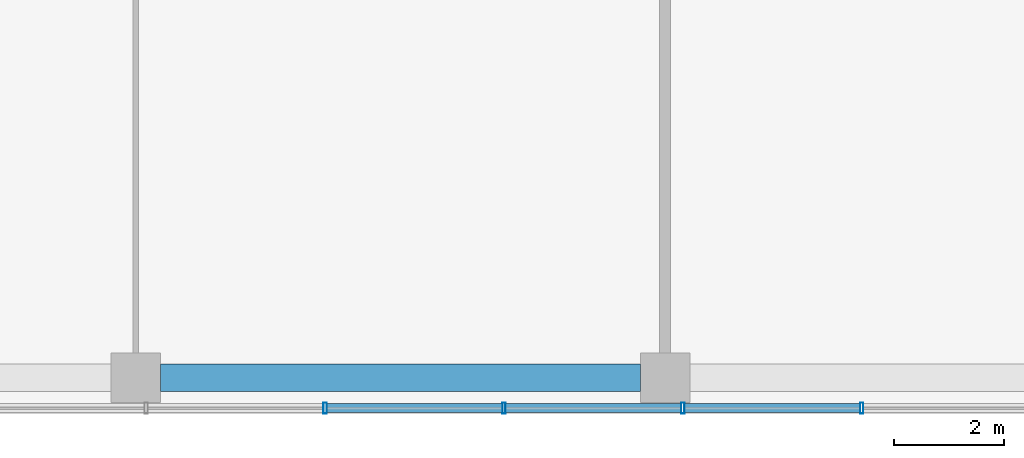
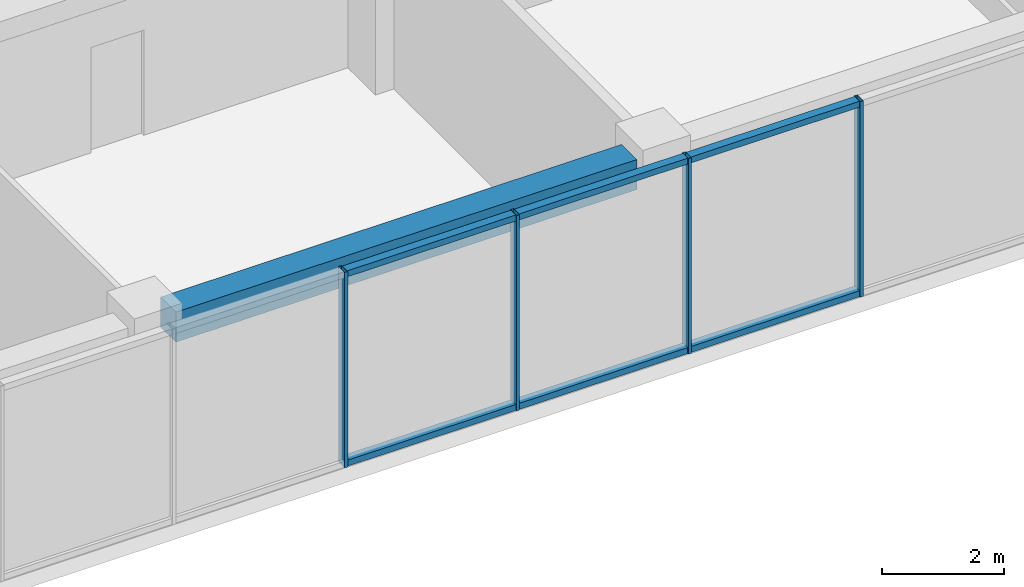
# One storey, part 11 of 38: 10 members, 1 beam, 1 element without a shape of its own.
"""IFC4 building model written with IfcOpenShell, lengths in metres."""

from ifc_helpers import new_model, si_unit, direction, frame, origin, origin_2d, place, context, subcontext, project, spatial, rectangle, hollow_rectangle, extrude, material, layer, layer_set, material_profile, profile_set, type_object, element, aggregate, save


model = new_model("IFC4")

# Units and contexts
model_context = context("Model", 3, precision=1e-05, world=origin(), true_north=direction((0.0, 1.0)))
body_context = subcontext(model_context, "Body", "Model", "MODEL_VIEW")
ifc_project = project(units=[si_unit("LENGTHUNIT", "METRE"), si_unit("AREAUNIT", "SQUARE_METRE"), si_unit("VOLUMEUNIT", "CUBIC_METRE"), si_unit("PLANEANGLEUNIT", "RADIAN"), si_unit("MASSUNIT", "GRAM", prefix="KILO")], contexts=[model_context])

# Site, building, storey
site_placement = place(None, origin())
site = spatial("IfcSite", under=ifc_project, at=site_placement, CompositionType="ELEMENT")
building_placement = place(site_placement, origin())
building = spatial("IfcBuilding", under=site, at=building_placement, Name="Nzadi Deep Aquarium and Research Tower", CompositionType="ELEMENT")
storey_placement = place(building_placement, frame((0.0, 0.0, 52.89990234375)))
storey = spatial("IfcBuildingStorey", under=building, at=storey_placement, Name="L10", CompositionType="ELEMENT", Elevation=52.89990234375)

# Curtain wall, members
ifc_material_1 = material(Name="Aluminium unitised frame", Category="aluminium")
ifc_layer = layer(ifc_material_1, 0.199951171875)
ifc_layer_set = layer_set([ifc_layer], Name="Aluminium unitised frame")
curtain_wall_type = type_object("IfcCurtainWallType", Name="Curtain wall Unitised 200", PredefinedType="NOTDEFINED", material=ifc_layer_set)
curtain_wall_placement = place(storey_placement, origin())
curtain_wall = element("IfcCurtainWall", 1, at=curtain_wall_placement, inside=storey, type_object=curtain_wall_type, Name="Unitised curtain wall blade A south L10", PredefinedType="NOTDEFINED")
ifc_material_2 = material(Name="Aluminium unitised frame", Category="aluminium")
ifc_material_profile_1 = material_profile(ifc_material_2, hollow_rectangle(XDim=0.199951171875, YDim=0.06005859375, WallThickness=0.0048828125, at=origin_2d()))
ifc_profile_set_1 = profile_set([ifc_material_profile_1], Name="Aluminium unitised frame")
member_type_1 = type_object("IfcMemberType", Name="Mullion 60x200 Unitised", PredefinedType="MULLION", material=ifc_profile_set_1)
member_1_placement = place(storey_placement, frame((32.2333984375, -0.10009765625, 0.0), z_axis=(0.0, 0.0, 1.0), x_axis=(0.0, 1.0, 0.0)))
member_1 = element("IfcMember", 2, at=member_1_placement, type_object=member_type_1, Name="CW036 mullion 11", PredefinedType="MULLION", context=body_context, shape_type="SweptSolid", body=[
    extrude(hollow_rectangle(XDim=0.199951171875, YDim=0.06005859375, WallThickness=0.0048828125, at=origin_2d()), origin(), (0.0, 0.0, 1.0), 3.900146484375),
])
member_2_placement = place(storey_placement, frame((35.4765625, -0.10009765625, 0.0), z_axis=(0.0, 0.0, 1.0), x_axis=(0.0, 1.0, 0.0)))
member_2 = element("IfcMember", 3, at=member_2_placement, type_object=member_type_1, Name="CW036 mullion 12", PredefinedType="MULLION", context=body_context, shape_type="SweptSolid", body=[
    extrude(hollow_rectangle(XDim=0.199951171875, YDim=0.06005859375, WallThickness=0.0048828125, at=origin_2d()), origin(), (0.0, 0.0, 1.0), 3.900146484375),
])
member_3_placement = place(storey_placement, frame((38.719970703125, -0.10009765625, 0.0), z_axis=(0.0, 0.0, 1.0), x_axis=(0.0, 1.0, 0.0)))
member_3 = element("IfcMember", 4, at=member_3_placement, type_object=member_type_1, Name="CW036 mullion 13", PredefinedType="MULLION", context=body_context, shape_type="SweptSolid", body=[
    extrude(hollow_rectangle(XDim=0.199951171875, YDim=0.06005859375, WallThickness=0.0048828125, at=origin_2d()), origin(), (0.0, 0.0, 1.0), 3.900146484375),
])
member_4_placement = place(storey_placement, frame((41.96337890625, -0.10009765625, 0.0), z_axis=(0.0, 0.0, 1.0), x_axis=(0.0, 1.0, 0.0)))
member_4 = element("IfcMember", 5, at=member_4_placement, type_object=member_type_1, Name="CW036 mullion 14", PredefinedType="MULLION", context=body_context, shape_type="SweptSolid", body=[
    extrude(hollow_rectangle(XDim=0.199951171875, YDim=0.06005859375, WallThickness=0.0048828125, at=origin_2d()), origin(), (0.0, 0.0, 1.0), 3.900146484375),
])

# Beam
ifc_material_3 = material(Name="Concrete C35/45", Category="concrete")
ifc_material_profile_2 = material_profile(ifc_material_3, rectangle(XDim=0.5, YDim=0.60009765625, at=origin_2d()))
ifc_profile_set_2 = profile_set([ifc_material_profile_2], Name="Concrete C35/45")
beam_type = type_object("IfcBeamType", Name="RC 500x600", PredefinedType="BEAM", material=ifc_profile_set_2)
beam_placement = place(storey_placement, frame((29.25, 0.449951171875, 3.60009765625), z_axis=(1.0, 0.0, 0.0), x_axis=(0.0, 1.0, 0.0)))
element("IfcBeam", 6, at=beam_placement, inside=storey, type_object=beam_type, Name="B-Z1-L10-L1-4", PredefinedType="BEAM", context=body_context, shape_type="SweptSolid", body=[
    extrude(rectangle(XDim=0.5, YDim=0.60009765625, at=origin_2d()), origin(), (0.0, 0.0, 1.0), 8.699951171875),
])

# Member
ifc_material_4 = material(Name="Aluminium unitised frame", Category="aluminium")
ifc_material_profile_3 = material_profile(ifc_material_4, hollow_rectangle(XDim=0.159912109375, YDim=0.1201171875, WallThickness=0.0048828125, at=origin_2d()))
ifc_profile_set_3 = profile_set([ifc_material_profile_3], Name="Aluminium unitised frame")
member_type_2 = type_object("IfcMemberType", Name="Transom 120x160 Unitised", PredefinedType="MULLION", material=ifc_profile_set_3)
member_5_placement = place(storey_placement, frame((32.263427734375, -0.10009765625, 0.06005859375), z_axis=(1.0, 0.0, 0.0), x_axis=(0.0, 1.0, 0.0)))
member_5 = element("IfcMember", 7, at=member_5_placement, type_object=member_type_2, Name="CW036 transom 11.1", PredefinedType="MULLION", context=body_context, shape_type="SweptSolid", body=[
    extrude(hollow_rectangle(XDim=0.159912109375, YDim=0.1201171875, WallThickness=0.0048828125, at=origin_2d()), origin(), (0.0, 0.0, 1.0), 3.183349609375),
])

member_6_placement = place(storey_placement, frame((32.263427734375, -0.10009765625, 3.840087890625), z_axis=(1.0, 0.0, 0.0), x_axis=(0.0, 1.0, 0.0)))
member_6 = element("IfcMember", 8, at=member_6_placement, type_object=member_type_2, Name="CW036 transom 11.2", PredefinedType="MULLION", context=body_context, shape_type="SweptSolid", body=[
    extrude(hollow_rectangle(XDim=0.159912109375, YDim=0.1201171875, WallThickness=0.0048828125, at=origin_2d()), origin(), (0.0, 0.0, 1.0), 3.183349609375),
])

member_7_placement = place(storey_placement, frame((35.506591796875, -0.10009765625, 0.06005859375), z_axis=(1.0, 0.0, 0.0), x_axis=(0.0, 1.0, 0.0)))
member_7 = element("IfcMember", 9, at=member_7_placement, type_object=member_type_2, Name="CW036 transom 12.1", PredefinedType="MULLION", context=body_context, shape_type="SweptSolid", body=[
    extrude(hollow_rectangle(XDim=0.159912109375, YDim=0.1201171875, WallThickness=0.0048828125, at=origin_2d()), origin(), (0.0, 0.0, 1.0), 3.183349609375),
])

member_8_placement = place(storey_placement, frame((35.506591796875, -0.10009765625, 3.840087890625), z_axis=(1.0, 0.0, 0.0), x_axis=(0.0, 1.0, 0.0)))
member_8 = element("IfcMember", 10, at=member_8_placement, type_object=member_type_2, Name="CW036 transom 12.2", PredefinedType="MULLION", context=body_context, shape_type="SweptSolid", body=[
    extrude(hollow_rectangle(XDim=0.159912109375, YDim=0.1201171875, WallThickness=0.0048828125, at=origin_2d()), origin(), (0.0, 0.0, 1.0), 3.183349609375),
])

member_9_placement = place(storey_placement, frame((38.75, -0.10009765625, 0.06005859375), z_axis=(1.0, 0.0, 0.0), x_axis=(0.0, 1.0, 0.0)))
member_9 = element("IfcMember", 11, at=member_9_placement, type_object=member_type_2, Name="CW036 transom 13.1", PredefinedType="MULLION", context=body_context, shape_type="SweptSolid", body=[
    extrude(hollow_rectangle(XDim=0.159912109375, YDim=0.1201171875, WallThickness=0.0048828125, at=origin_2d()), origin(), (0.0, 0.0, 1.0), 3.183349609375),
])

member_10_placement = place(storey_placement, frame((38.75, -0.10009765625, 3.840087890625), z_axis=(1.0, 0.0, 0.0), x_axis=(0.0, 1.0, 0.0)))
member_10 = element("IfcMember", 12, at=member_10_placement, type_object=member_type_2, Name="CW036 transom 13.2", PredefinedType="MULLION", context=body_context, shape_type="SweptSolid", body=[
    extrude(hollow_rectangle(XDim=0.159912109375, YDim=0.1201171875, WallThickness=0.0048828125, at=origin_2d()), origin(), (0.0, 0.0, 1.0), 3.183349609375),
])

aggregate(curtain_wall, [member_1, member_2, member_3, member_4, member_5, member_6, member_7, member_8, member_9, member_10])

save(model, "model.ifc")
